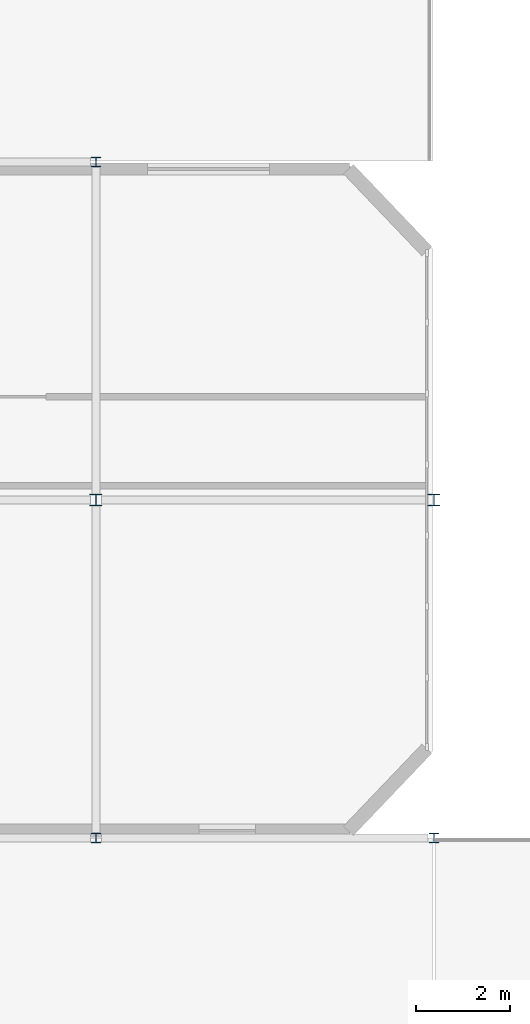
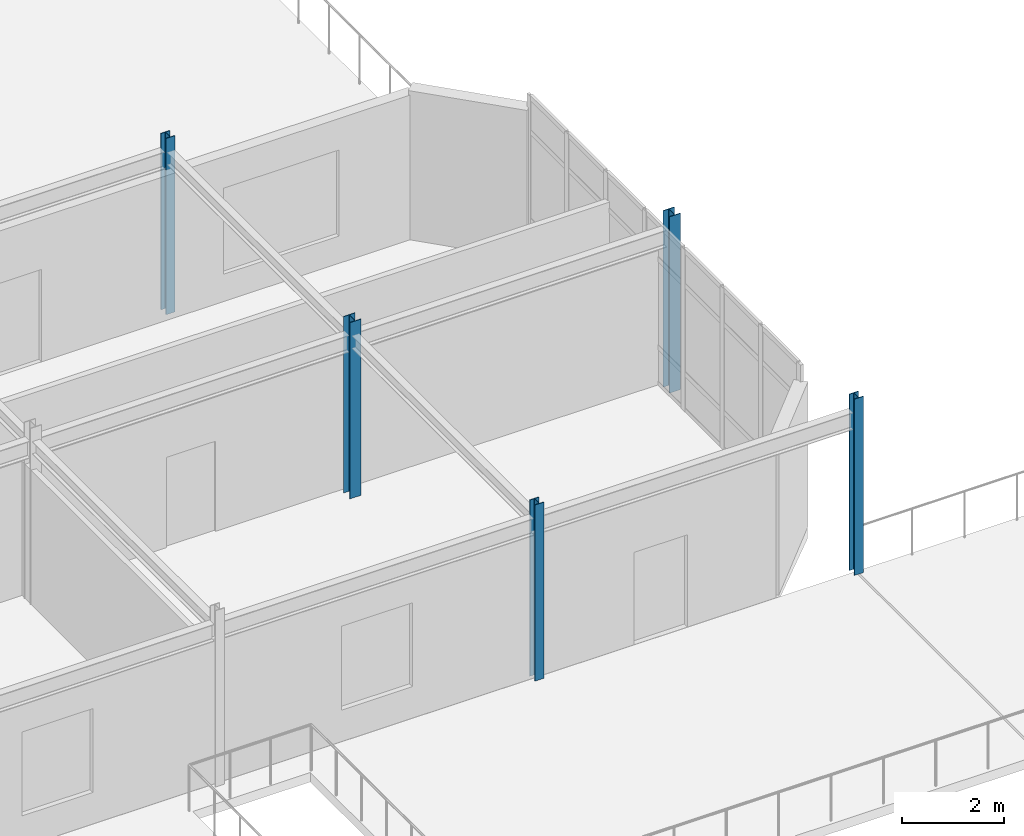
# One storey, part 14 of 85: 5 columns.
"""IFC4 building model written with IfcOpenShell, lengths in metres."""

from ifc_helpers import new_model, si_unit, direction, frame, origin, origin_2d, place, context, subcontext, project, spatial, i_section, extrude, material, material_profile, profile_set, type_object, element, save


model = new_model("IFC4")

# Units and contexts
model_context = context("Model", 3, precision=1e-05, world=origin(), true_north=direction((0.0, 1.0)))
body_context = subcontext(model_context, "Body", "Model", "MODEL_VIEW")
ifc_project = project(units=[si_unit("LENGTHUNIT", "METRE"), si_unit("AREAUNIT", "SQUARE_METRE"), si_unit("VOLUMEUNIT", "CUBIC_METRE"), si_unit("PLANEANGLEUNIT", "RADIAN"), si_unit("MASSUNIT", "GRAM", prefix="KILO")], contexts=[model_context])

# Site, building, storey
site_placement = place(None, origin())
site = spatial("IfcSite", under=ifc_project, at=site_placement, CompositionType="ELEMENT")
building_placement = place(site_placement, origin())
building = spatial("IfcBuilding", under=site, at=building_placement, Name="Ochrevale Crest", CompositionType="ELEMENT")
storey_placement = place(building_placement, frame((0.0, 0.0, 4.5)))
storey = spatial("IfcBuildingStorey", under=building, at=storey_placement, Name="L01", CompositionType="ELEMENT", Elevation=4.5)

# Columns
ifc_material = material(Name="Steel S355", Category="steel")
ifc_material_profile_1 = material_profile(ifc_material, i_section(OverallWidth=0.205078125, OverallDepth=0.209716796875, WebThickness=0.00927734375, FlangeThickness=0.01416015625, FilletRadius=0.01025390625, at=origin_2d()), Name="200UC59.5")
ifc_profile_set_1 = profile_set([ifc_material_profile_1], Name="Steel S355")
column_type_1 = type_object("IfcColumnType", Name="COL-UC200B", PredefinedType="COLUMN", material=ifc_profile_set_1)
for number, where, z_axis, x_axis, name in (
    (1, (100.800048828125, 79.199951171875, 0.0), (0.0, 0.0, 1.0), (1.0, 0.0, 0.0), "Nursery L01 steel column (100.8,79.2)"),
    (2, (100.800048828125, 93.60009765625, 0.0), (0.0, 0.0, 1.0), (1.0, 0.0, 0.0), "Nursery L01 steel column (100.8,93.6)"),
    (3, (108.0, 79.199951171875, 0.0), (0.0, 0.0, 1.0), (1.0, 0.0, 0.0), "Nursery L01 steel column (108.0,79.2)"),
):
    element("IfcColumn", number, at=place(storey_placement, frame(where, z_axis=z_axis, x_axis=x_axis)), inside=storey, type_object=column_type_1, Name=name, PredefinedType="COLUMN", context=body_context, shape_type="SweptSolid", body=[
        extrude(i_section(OverallWidth=0.205078125, OverallDepth=0.209716796875, WebThickness=0.00927734375, FlangeThickness=0.01416015625, FilletRadius=0.01025390625, at=origin_2d()), origin(), (0.0, 0.0, 1.0), 4.199951171875),
    ])
ifc_material_profile_2 = material_profile(ifc_material, i_section(OverallWidth=0.25390625, OverallDepth=0.25390625, WebThickness=0.008544921875, FlangeThickness=0.01416015625, FilletRadius=0.0126953125, at=origin_2d()), Name="250UC72.9")
ifc_profile_set_2 = profile_set([ifc_material_profile_2], Name="Steel S355")
column_type_2 = type_object("IfcColumnType", Name="COL-UC250A", PredefinedType="COLUMN", material=ifc_profile_set_2)
for number, where, z_axis, x_axis, name in (
    (4, (100.800048828125, 86.39990234375, 0.0), (0.0, 0.0, 1.0), (1.0, 0.0, 0.0), "Nursery L01 steel column (100.8,86.4)"),
    (5, (108.0, 86.39990234375, 0.0), (0.0, 0.0, 1.0), (1.0, 0.0, 0.0), "Nursery L01 steel column (108.0,86.4)"),
):
    element("IfcColumn", number, at=place(storey_placement, frame(where, z_axis=z_axis, x_axis=x_axis)), inside=storey, type_object=column_type_2, Name=name, PredefinedType="COLUMN", context=body_context, shape_type="SweptSolid", body=[
        extrude(i_section(OverallWidth=0.25390625, OverallDepth=0.25390625, WebThickness=0.008544921875, FlangeThickness=0.01416015625, FilletRadius=0.0126953125, at=origin_2d()), origin(), (0.0, 0.0, 1.0), 4.199951171875),
    ])

save(model, "model.ifc")
